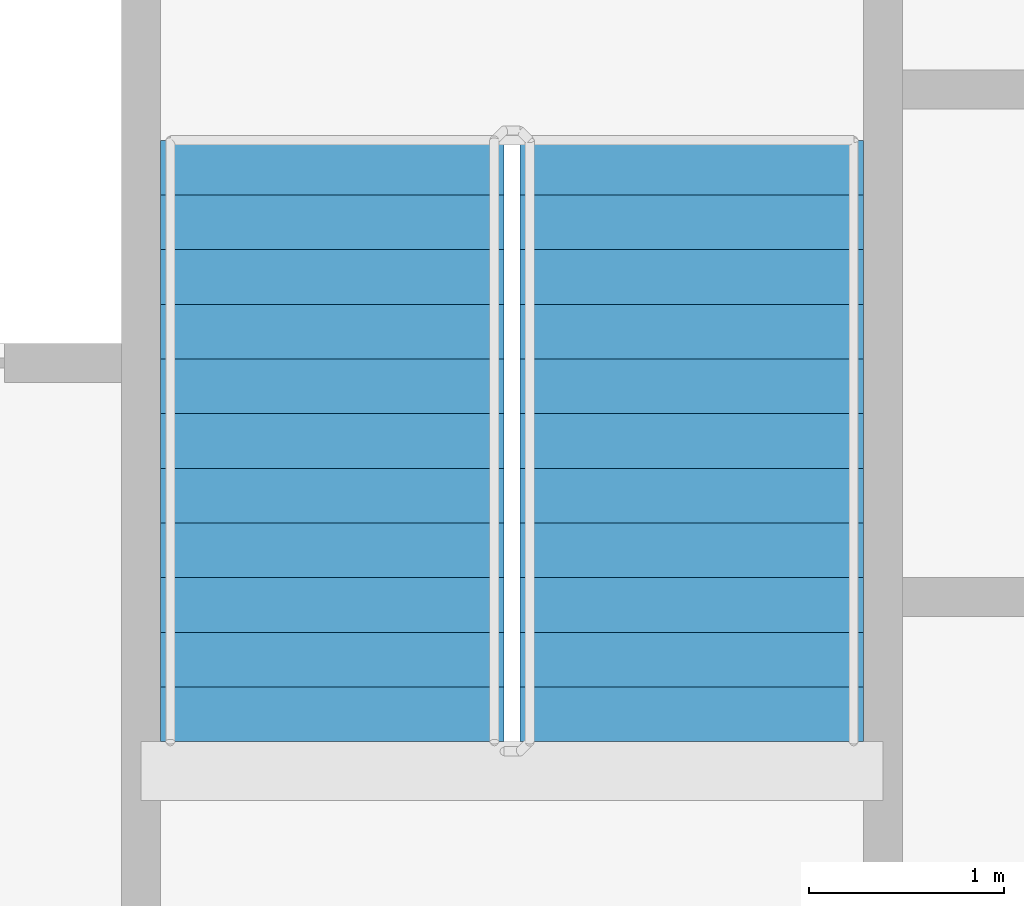
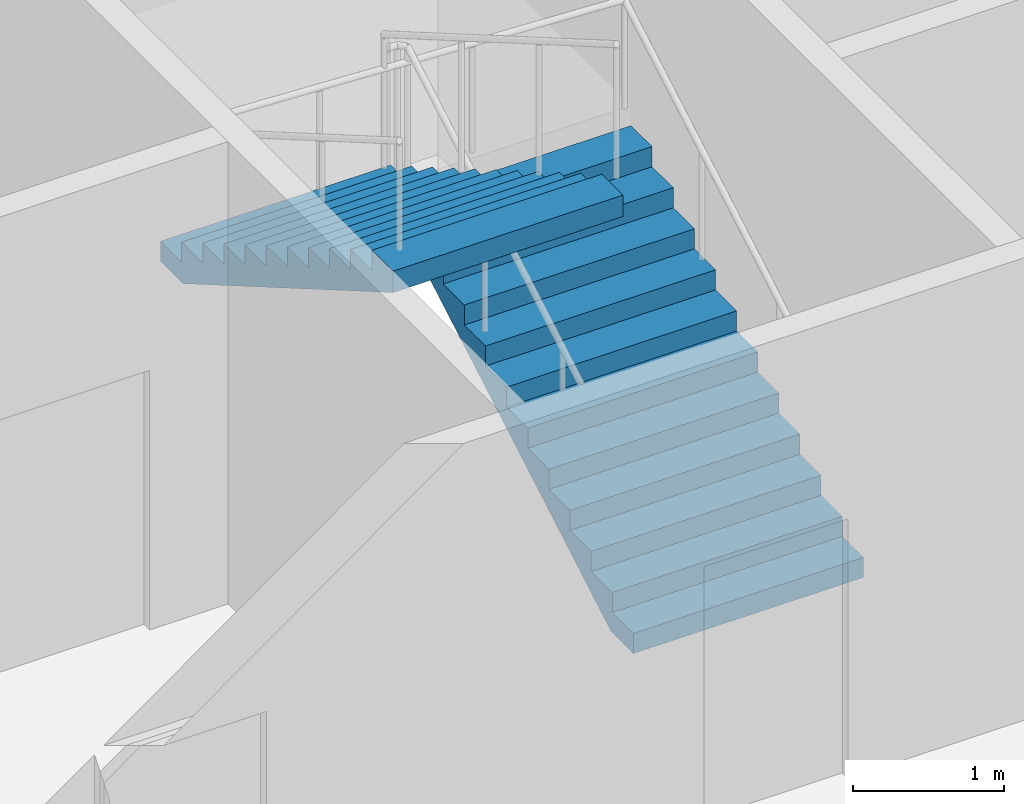
# One storey, part 17 of 22: 2 stair flights, 1 element without a shape of its own.
"""IFC4 building model written with IfcOpenShell, lengths in metres."""

import ifcopenshell
import ifcopenshell.guid

model = None  # the IFC model being written
_history = None  # IfcOwnerHistory: only IFC2X3 demands one
_inside = {}  # id of a spatial element -> (the spatial element, [elements in it])
_under = {}  # id of a project, library or spatial element -> (it, [spatial elements below it])
_declared = {}  # id of a project -> (the project, [libraries it declares])
_typed = {}  # id of a type object -> (the type object, [elements of that type])
_made_of = {}  # id of a material, layer set ... -> (it, [elements and type objects made of it])


def new_model(schema):
    """Start an empty IFC model of exactly this schema.

    Asked for "IFC4X3", IfcOpenShell would pick the latest addendum, in which some entities
    have other attributes; the version numbers below select the first issue.
    IFC2X3 requires an IfcOwnerHistory on every rooted entity: one is made here for all.
    """
    global model, _history
    if schema == "IFC4X3":
        model = ifcopenshell.file(schema_version=(4, 3, 0, 0))
    else:
        model = ifcopenshell.file(schema=schema)
    _inside.clear()
    _under.clear()
    _declared.clear()
    _typed.clear()
    _made_of.clear()
    _history = None
    if model.schema == "IFC2X3":
        org = make("IfcOrganization", Name="unknown")
        user = make(
            "IfcPersonAndOrganization",
            ThePerson=make("IfcPerson", FamilyName="unknown"),
            TheOrganization=org,
        )
        app = make(
            "IfcApplication",
            ApplicationDeveloper=org,
            Version="unknown",
            ApplicationFullName="unknown",
            ApplicationIdentifier="unknown",
        )
        _history = make(
            "IfcOwnerHistory",
            OwningUser=user,
            OwningApplication=app,
            ChangeAction="ADDED",
            CreationDate=0,
        )
    return model


def make(cls, **values):
    """One entity of the class cls with the attributes given. An attribute that is None is left unset."""
    return model.create_entity(
        cls, **{name: value for name, value in values.items() if value is not None}
    )


def rooted(cls, **values):
    """An entity with a GlobalId (a new one), such as an element, a storey or a relation."""
    return make(cls, GlobalId=ifcopenshell.guid.new(), OwnerHistory=_history, **values)


def si_unit(unit_type, name, prefix=None):
    """IfcSIUnit, for example si_unit("LENGTHUNIT", "METRE", prefix="MILLI")."""
    return make("IfcSIUnit", UnitType=unit_type, Prefix=prefix, Name=name)


def assignment(units):
    """IfcUnitAssignment: the units of a project."""
    return None if units is None else make("IfcUnitAssignment", Units=units)


def point(xyz):
    """IfcCartesianPoint."""
    return None if xyz is None else make("IfcCartesianPoint", Coordinates=xyz)


def direction(xyz):
    """IfcDirection."""
    return None if xyz is None else make("IfcDirection", DirectionRatios=xyz)


def frame(location, z_axis=None, x_axis=None):
    """IfcAxis2Placement3D, a coordinate frame: its origin and axes. An axis left out is left unset."""
    return make(
        "IfcAxis2Placement3D",
        Location=point(location),
        Axis=direction(z_axis),
        RefDirection=direction(x_axis),
    )


def origin():
    """The frame at (0, 0, 0) with its axes left unset."""
    return frame((0.0, 0.0, 0.0))


def place(relative_to, where):
    """IfcLocalPlacement: puts the frame where relative to a parent placement (None: the world)."""
    return make(
        "IfcLocalPlacement", PlacementRelTo=relative_to, RelativePlacement=where
    )


def context(
    kind, dimensions, precision=None, world=None, true_north=None, identifier=None
):
    """IfcGeometricRepresentationContext, for example the 3D "Model" context."""
    return make(
        "IfcGeometricRepresentationContext",
        ContextIdentifier=identifier,
        ContextType=kind,
        CoordinateSpaceDimension=dimensions,
        Precision=precision,
        WorldCoordinateSystem=world,
        TrueNorth=true_north,
    )


def subcontext(parent, identifier, kind, view, scale=None):
    """IfcGeometricRepresentationSubContext, for example "Body" below "Model"."""
    return make(
        "IfcGeometricRepresentationSubContext",
        ContextIdentifier=identifier,
        ContextType=kind,
        ParentContext=parent,
        TargetScale=scale,
        TargetView=view,
    )


def project(units=None, contexts=None):
    """IfcProject with its units and contexts."""
    return rooted(
        "IfcProject",
        Name="project",
        RepresentationContexts=contexts,
        UnitsInContext=assignment(units),
    )


def spatial(cls, under=None, at=None, **own):
    """A site, building, storey or space (cls), placed at a placement, below another one or the project."""
    s = rooted(cls, ObjectPlacement=at, **own)
    if under is not None:
        _under.setdefault(under.id(), (under, []))[1].append(s)
    return s


def faces_of(points, faces, orient=None, outer=None):
    """IfcFace entities. A face is a list of loops; a loop is a list of indices into points, from 0.

    orient and outer hold one flag for each loop. By default every Orientation is true, the
    first loop of a face is its IfcFaceOuterBound and the others are IfcFaceBound.
    """
    made = []
    for i, loops in enumerate(faces):
        bounds = []
        for j, loop in enumerate(loops):
            is_outer = j == 0 if outer is None else outer[i][j]
            bounds.append(
                make(
                    "IfcFaceOuterBound" if is_outer else "IfcFaceBound",
                    Bound=make("IfcPolyLoop", Polygon=[points[k] for k in loop]),
                    Orientation=True if orient is None else orient[i][j],
                )
            )
        made.append(make("IfcFace", Bounds=bounds))
    return made


def faceted_brep(points, faces, orient=None, outer=None, voids=None):
    """IfcFacetedBrep: a solid bounded by flat faces; with voids (closed shells), ...WithVoids."""
    shared = [point(p) for p in points]
    hull = make("IfcClosedShell", CfsFaces=faces_of(shared, faces, orient, outer))
    if voids is None:
        return make("IfcFacetedBrep", Outer=hull)
    return make(
        "IfcFacetedBrepWithVoids",
        Outer=hull,
        Voids=[
            make(cls, CfsFaces=faces_of(shared, fs, o, b)) for cls, fs, o, b in voids
        ],
    )


def shape(context_of_items, identifier, shape_type, items):
    """IfcShapeRepresentation: the items that make up one representation, for example the "Body"."""
    return make(
        "IfcShapeRepresentation",
        ContextOfItems=context_of_items,
        RepresentationIdentifier=identifier,
        RepresentationType=shape_type,
        Items=items,
    )


def material(Name=None, Category=None):
    """IfcMaterial."""
    return make("IfcMaterial", Name=Name, Category=Category)


def made_of(thing, what):
    """Note that an element or type object is made of a material, layer set ...; save() writes the relation."""
    if what is not None:
        _made_of.setdefault(what.id(), (what, []))[1].append(thing)
    return thing


def type_object(cls, material=None, **own):
    """A type object (cls), such as IfcWallType, which elements share."""
    return made_of(rooted(cls, **own), material)


def element(
    cls,
    number,
    at=None,
    inside=None,
    cuts=None,
    type_object=None,
    material=None,
    context=None,
    identifier="Body",
    shape_type=None,
    held_by="IfcProductDefinitionShape",
    body=None,
    shapes=None,
    **own,
):
    """One element of the class cls, such as IfcWall. Its Tag is "e" and its number.

    at: its placement. inside: the storey or other place that contains it. cuts: it is an
    opening in that element (IfcRelVoidsElement). A single representation is given by context,
    identifier, shape_type and body (its items); several are given by shapes. held_by: the class
    of the entity that holds the representations. save() writes the other relations.
    """
    e = rooted(cls, Tag="e%d" % number, ObjectPlacement=at, **own)
    if body is not None:
        shapes = [shape(context, identifier, shape_type, body)]
    if shapes is not None:
        e.Representation = make(held_by, Representations=shapes)
    if inside is not None:
        _inside.setdefault(inside.id(), (inside, []))[1].append(e)
    if cuts is not None:
        rooted(
            "IfcRelVoidsElement", RelatingBuildingElement=cuts, RelatedOpeningElement=e
        )
    if type_object is not None:
        _typed.setdefault(type_object.id(), (type_object, []))[1].append(e)
    return made_of(e, material)


def aggregate(whole, parts):
    """IfcRelAggregates: a whole, such as a stair, and the parts it consists of."""
    return rooted("IfcRelAggregates", RelatingObject=whole, RelatedObjects=parts)


def save(model, path):
    """Write the relations noted so far, then the file.

    IfcRelAggregates (storeys below a building ...), IfcRelContainedInSpatialStructure (elements
    in a storey), IfcRelDefinesByType, IfcRelAssociatesMaterial and IfcRelDeclares: one each for
    every whole, place, type object, material and project.
    """
    for whole, parts in _under.values():
        aggregate(whole, parts)
    for where, things in _inside.values():
        rooted(
            "IfcRelContainedInSpatialStructure",
            RelatedElements=things,
            RelatingStructure=where,
        )
    for kind, things in _typed.values():
        rooted("IfcRelDefinesByType", RelatedObjects=things, RelatingType=kind)
    for what, things in _made_of.values():
        rooted("IfcRelAssociatesMaterial", RelatedObjects=things, RelatingMaterial=what)
    for by, libraries in _declared.values():
        rooted("IfcRelDeclares", RelatingContext=by, RelatedDefinitions=libraries)
    model.write(path)


model = new_model("IFC4")

# Units and contexts
model_context = context("Model", 3, precision=1e-05, world=origin(), true_north=direction((0.0, 1.0)))
body_context = subcontext(model_context, "Body", "Model", "MODEL_VIEW")
ifc_project = project(units=[si_unit("LENGTHUNIT", "METRE"), si_unit("AREAUNIT", "SQUARE_METRE"), si_unit("VOLUMEUNIT", "CUBIC_METRE"), si_unit("PLANEANGLEUNIT", "RADIAN"), si_unit("MASSUNIT", "GRAM", prefix="KILO")], contexts=[model_context])

# Site, building, storey
site_placement = place(None, origin())
site = spatial("IfcSite", under=ifc_project, at=site_placement, CompositionType="ELEMENT")
building_placement = place(site_placement, origin())
building = spatial("IfcBuilding", under=site, at=building_placement, Name="Tarsis Ring Headquarters", CompositionType="ELEMENT")
storey_placement = place(building_placement, frame((0.0, 0.0, 55.60009765625)))
storey = spatial("IfcBuildingStorey", under=building, at=storey_placement, Name="L11", CompositionType="ELEMENT", Elevation=55.60009765625)

# Stair, stair flights
ifc_material_1 = material(Name="Core stair 1760")
stair_type = type_object("IfcStairType", Name="Core stair 1760", PredefinedType="HALF_TURN_STAIR", material=ifc_material_1)
stair_placement = place(storey_placement, origin())
stair = element("IfcStair", 1, at=stair_placement, inside=storey, type_object=stair_type, Name="L11 Exit stair B", PredefinedType="HALF_TURN_STAIR")
ifc_material_2 = material(Name="Concrete C40/50", Category="concrete")
stair_flight_type = type_object("IfcStairFlightType", Name="Core stair flight 1760", PredefinedType="STRAIGHT", material=ifc_material_2)
stair_flight_1_placement = place(storey_placement, frame((5.419921875, 3.659912109375, 0.0), z_axis=(0.0, 0.0, 1.0), x_axis=(0.0, 1.0, 0.0)))
stair_flight_1 = element("IfcStairFlight", 2, at=stair_flight_1_placement, type_object=stair_flight_type, Name="Stair ST2 flight 1", NumberOfRisers=12, NumberOfTreads=11, PredefinedType="STRAIGHT", RiserHeight=0.1625, TreadLength=0.28, context=body_context, shape_type="Brep", body=[
    faceted_brep([(0.0, 0.8798828125, 0.0), (0.0, 0.8798828125, 0.16259765625), (0.280029296875, 0.8798828125, 0.16259765625), (0.280029296875, 0.8798828125, 0.324951171875), (0.56005859375, 0.8798828125, 0.324951171875), (0.56005859375, 0.8798828125, 0.487548828125), (0.840087890625, 0.8798828125, 0.487548828125), (0.840087890625, 0.8798828125, 0.64990234375), (1.1201171875, 0.8798828125, 0.64990234375), (1.1201171875, 0.8798828125, 0.8125), (1.39990234375, 0.8798828125, 0.8125), (1.39990234375, 0.8798828125, 0.97509765625), (1.679931640625, 0.8798828125, 0.97509765625), (1.679931640625, 0.8798828125, 1.137451171875), (1.9599609375, 0.8798828125, 1.137451171875), (1.9599609375, 0.8798828125, 1.300048828125), (2.239990234375, 0.8798828125, 1.300048828125), (2.239990234375, 0.8798828125, 1.46240234375), (2.52001953125, 0.8798828125, 1.46240234375), (2.52001953125, 0.8798828125, 1.625), (2.800048828125, 0.8798828125, 1.625), (2.800048828125, 0.8798828125, 1.78759765625), (3.080078125, 0.8798828125, 1.78759765625), (3.080078125, 0.8798828125, 1.6142578125), (0.298583984375, 0.8798828125, 0.0), (0.298583984375, -0.8798828125, 0.0), (3.080078125, -0.8798828125, 1.6142578125), (3.080078125, -0.8798828125, 1.78759765625), (2.800048828125, -0.8798828125, 1.78759765625), (2.800048828125, -0.8798828125, 1.625), (2.52001953125, -0.8798828125, 1.625), (2.52001953125, -0.8798828125, 1.46240234375), (2.239990234375, -0.8798828125, 1.46240234375), (2.239990234375, -0.8798828125, 1.300048828125), (1.9599609375, -0.8798828125, 1.300048828125), (1.9599609375, -0.8798828125, 1.137451171875), (1.679931640625, -0.8798828125, 1.137451171875), (1.679931640625, -0.8798828125, 0.97509765625), (1.39990234375, -0.8798828125, 0.97509765625), (1.39990234375, -0.8798828125, 0.8125), (1.1201171875, -0.8798828125, 0.8125), (1.1201171875, -0.8798828125, 0.64990234375), (0.840087890625, -0.8798828125, 0.64990234375), (0.840087890625, -0.8798828125, 0.487548828125), (0.56005859375, -0.8798828125, 0.487548828125), (0.56005859375, -0.8798828125, 0.324951171875), (0.280029296875, -0.8798828125, 0.324951171875), (0.280029296875, -0.8798828125, 0.16259765625), (0.0, -0.8798828125, 0.16259765625), (0.0, -0.8798828125, 0.0), (0.0, -0.43994140625, 0.16259765625), (0.0, -0.43994140625, 0.0), (0.0, 0.0, 0.16259765625), (0.0, 0.0, 0.0), (0.0, 0.43994140625, 0.16259765625), (0.0, 0.43994140625, 0.0), (0.280029296875, -0.43994140625, 0.16259765625), (0.280029296875, 0.0, 0.16259765625), (0.280029296875, 0.43994140625, 0.16259765625), (0.280029296875, -0.43994140625, 0.324951171875), (0.280029296875, 0.0, 0.324951171875), (0.280029296875, 0.43994140625, 0.324951171875), (0.56005859375, -0.43994140625, 0.324951171875), (0.56005859375, 0.0, 0.324951171875), (0.56005859375, 0.43994140625, 0.324951171875), (0.56005859375, -0.43994140625, 0.487548828125), (0.56005859375, 0.0, 0.487548828125), (0.56005859375, 0.43994140625, 0.487548828125), (0.840087890625, -0.43994140625, 0.487548828125), (0.840087890625, 0.0, 0.487548828125), (0.840087890625, 0.43994140625, 0.487548828125), (0.840087890625, -0.43994140625, 0.64990234375), (0.840087890625, 0.0, 0.64990234375), (0.840087890625, 0.43994140625, 0.64990234375), (1.1201171875, -0.43994140625, 0.64990234375), (1.1201171875, 0.0, 0.64990234375), (1.1201171875, 0.43994140625, 0.64990234375), (1.1201171875, -0.43994140625, 0.8125), (1.1201171875, 0.0, 0.8125), (1.1201171875, 0.43994140625, 0.8125), (1.39990234375, -0.43994140625, 0.8125), (1.39990234375, 0.0, 0.8125), (1.39990234375, 0.43994140625, 0.8125), (1.39990234375, -0.43994140625, 0.97509765625), (1.39990234375, 0.0, 0.97509765625), (1.39990234375, 0.43994140625, 0.97509765625), (1.679931640625, -0.43994140625, 0.97509765625), (1.679931640625, 0.0, 0.97509765625), (1.679931640625, 0.43994140625, 0.97509765625), (1.679931640625, -0.43994140625, 1.137451171875), (1.679931640625, 0.0, 1.137451171875), (1.679931640625, 0.43994140625, 1.137451171875), (1.9599609375, -0.43994140625, 1.137451171875), (1.9599609375, 0.0, 1.137451171875), (1.9599609375, 0.43994140625, 1.137451171875), (1.9599609375, -0.43994140625, 1.300048828125), (1.9599609375, 0.0, 1.300048828125), (1.9599609375, 0.43994140625, 1.300048828125), (2.239990234375, -0.43994140625, 1.300048828125), (2.239990234375, 0.0, 1.300048828125), (2.239990234375, 0.43994140625, 1.300048828125), (2.239990234375, -0.43994140625, 1.46240234375), (2.239990234375, 0.0, 1.46240234375), (2.239990234375, 0.43994140625, 1.46240234375), (2.52001953125, -0.43994140625, 1.46240234375), (2.52001953125, 0.0, 1.46240234375), (2.52001953125, 0.43994140625, 1.46240234375), (2.52001953125, -0.43994140625, 1.625), (2.52001953125, 0.0, 1.625), (2.52001953125, 0.43994140625, 1.625), (2.800048828125, -0.43994140625, 1.625), (2.800048828125, 0.0, 1.625), (2.800048828125, 0.43994140625, 1.625), (2.800048828125, -0.43994140625, 1.78759765625), (2.800048828125, 0.0, 1.78759765625), (2.800048828125, 0.43994140625, 1.78759765625), (3.080078125, -0.43994140625, 1.78759765625), (3.080078125, 0.0, 1.78759765625), (3.080078125, 0.43994140625, 1.78759765625), (3.080078125, -0.43994140625, 1.6142578125), (3.080078125, 0.0, 1.6142578125), (3.080078125, 0.43994140625, 1.6142578125), (0.298583984375, -0.43994140625, 0.0), (0.298583984375, 0.0, 0.0), (0.298583984375, 0.43994140625, 0.0)], [[[0, 1, 2, 3, 4, 5, 6, 7, 8, 9, 10, 11, 12, 13, 14, 15, 16, 17, 18, 19, 20, 21, 22, 23, 24]], [[25, 26, 27, 28, 29, 30, 31, 32, 33, 34, 35, 36, 37, 38, 39, 40, 41, 42, 43, 44, 45, 46, 47, 48, 49]], [[49, 48, 50, 51]], [[51, 50, 52, 53]], [[53, 52, 54, 55]], [[55, 54, 1, 0]], [[48, 47, 56, 50]], [[50, 56, 57, 52]], [[52, 57, 58, 54]], [[54, 58, 2, 1]], [[47, 46, 59, 56]], [[56, 59, 60, 57]], [[57, 60, 61, 58]], [[58, 61, 3, 2]], [[46, 45, 62, 59]], [[59, 62, 63, 60]], [[60, 63, 64, 61]], [[61, 64, 4, 3]], [[45, 44, 65, 62]], [[62, 65, 66, 63]], [[63, 66, 67, 64]], [[64, 67, 5, 4]], [[44, 43, 68, 65]], [[65, 68, 69, 66]], [[66, 69, 70, 67]], [[67, 70, 6, 5]], [[43, 42, 71, 68]], [[68, 71, 72, 69]], [[69, 72, 73, 70]], [[70, 73, 7, 6]], [[42, 41, 74, 71]], [[71, 74, 75, 72]], [[72, 75, 76, 73]], [[73, 76, 8, 7]], [[41, 40, 77, 74]], [[74, 77, 78, 75]], [[75, 78, 79, 76]], [[76, 79, 9, 8]], [[40, 39, 80, 77]], [[77, 80, 81, 78]], [[78, 81, 82, 79]], [[79, 82, 10, 9]], [[39, 38, 83, 80]], [[80, 83, 84, 81]], [[81, 84, 85, 82]], [[82, 85, 11, 10]], [[38, 37, 86, 83]], [[83, 86, 87, 84]], [[84, 87, 88, 85]], [[85, 88, 12, 11]], [[37, 36, 89, 86]], [[86, 89, 90, 87]], [[87, 90, 91, 88]], [[88, 91, 13, 12]], [[36, 35, 92, 89]], [[89, 92, 93, 90]], [[90, 93, 94, 91]], [[91, 94, 14, 13]], [[35, 34, 95, 92]], [[92, 95, 96, 93]], [[93, 96, 97, 94]], [[94, 97, 15, 14]], [[34, 33, 98, 95]], [[95, 98, 99, 96]], [[96, 99, 100, 97]], [[97, 100, 16, 15]], [[33, 32, 101, 98]], [[98, 101, 102, 99]], [[99, 102, 103, 100]], [[100, 103, 17, 16]], [[32, 31, 104, 101]], [[101, 104, 105, 102]], [[102, 105, 106, 103]], [[103, 106, 18, 17]], [[31, 30, 107, 104]], [[104, 107, 108, 105]], [[105, 108, 109, 106]], [[106, 109, 19, 18]], [[30, 29, 110, 107]], [[107, 110, 111, 108]], [[108, 111, 112, 109]], [[109, 112, 20, 19]], [[29, 28, 113, 110]], [[110, 113, 114, 111]], [[111, 114, 115, 112]], [[112, 115, 21, 20]], [[28, 27, 116, 113]], [[113, 116, 117, 114]], [[114, 117, 118, 115]], [[115, 118, 22, 21]], [[27, 26, 119, 116]], [[116, 119, 120, 117]], [[117, 120, 121, 118]], [[118, 121, 23, 22]], [[26, 25, 122, 119]], [[119, 122, 123, 120]], [[120, 123, 124, 121]], [[121, 124, 24, 23]], [[25, 49, 51, 122]], [[122, 51, 53, 123]], [[123, 53, 55, 124]], [[124, 55, 0, 24]]]),
])
stair_flight_2_placement = place(storey_placement, frame((3.580078125, 6.739990234375, 1.949951171875), z_axis=(0.0, 0.0, 1.0), x_axis=(0.0, -1.0, 0.0)))
stair_flight_2 = element("IfcStairFlight", 3, at=stair_flight_2_placement, type_object=stair_flight_type, Name="Stair ST2 flight 2", NumberOfRisers=12, NumberOfTreads=11, PredefinedType="STRAIGHT", RiserHeight=0.1625, TreadLength=0.28, context=body_context, shape_type="Brep", body=[
    faceted_brep([(0.0, 0.8798828125, 0.0), (0.0, 0.8798828125, 0.16259765625), (0.280029296875, 0.8798828125, 0.16259765625), (0.280029296875, 0.8798828125, 0.324951171875), (0.56005859375, 0.8798828125, 0.324951171875), (0.56005859375, 0.8798828125, 0.487548828125), (0.840087890625, 0.8798828125, 0.487548828125), (0.840087890625, 0.8798828125, 0.64990234375), (1.1201171875, 0.8798828125, 0.64990234375), (1.1201171875, 0.8798828125, 0.8125), (1.39990234375, 0.8798828125, 0.8125), (1.39990234375, 0.8798828125, 0.97509765625), (1.679931640625, 0.8798828125, 0.97509765625), (1.679931640625, 0.8798828125, 1.137451171875), (1.9599609375, 0.8798828125, 1.137451171875), (1.9599609375, 0.8798828125, 1.300048828125), (2.239990234375, 0.8798828125, 1.300048828125), (2.239990234375, 0.8798828125, 1.46240234375), (2.52001953125, 0.8798828125, 1.46240234375), (2.52001953125, 0.8798828125, 1.625), (2.800048828125, 0.8798828125, 1.625), (2.800048828125, 0.8798828125, 1.78759765625), (3.080078125, 0.8798828125, 1.78759765625), (3.080078125, 0.8798828125, 1.6142578125), (0.298583984375, 0.8798828125, 0.0), (0.298583984375, -0.8798828125, 0.0), (3.080078125, -0.8798828125, 1.6142578125), (3.080078125, -0.8798828125, 1.78759765625), (2.800048828125, -0.8798828125, 1.78759765625), (2.800048828125, -0.8798828125, 1.625), (2.52001953125, -0.8798828125, 1.625), (2.52001953125, -0.8798828125, 1.46240234375), (2.239990234375, -0.8798828125, 1.46240234375), (2.239990234375, -0.8798828125, 1.300048828125), (1.9599609375, -0.8798828125, 1.300048828125), (1.9599609375, -0.8798828125, 1.137451171875), (1.679931640625, -0.8798828125, 1.137451171875), (1.679931640625, -0.8798828125, 0.97509765625), (1.39990234375, -0.8798828125, 0.97509765625), (1.39990234375, -0.8798828125, 0.8125), (1.1201171875, -0.8798828125, 0.8125), (1.1201171875, -0.8798828125, 0.64990234375), (0.840087890625, -0.8798828125, 0.64990234375), (0.840087890625, -0.8798828125, 0.487548828125), (0.56005859375, -0.8798828125, 0.487548828125), (0.56005859375, -0.8798828125, 0.324951171875), (0.280029296875, -0.8798828125, 0.324951171875), (0.280029296875, -0.8798828125, 0.16259765625), (0.0, -0.8798828125, 0.16259765625), (0.0, -0.8798828125, 0.0), (0.0, -0.43994140625, 0.16259765625), (0.0, -0.43994140625, 0.0), (0.0, 0.0, 0.16259765625), (0.0, 0.0, 0.0), (0.0, 0.43994140625, 0.16259765625), (0.0, 0.43994140625, 0.0), (0.280029296875, -0.43994140625, 0.16259765625), (0.280029296875, 0.0, 0.16259765625), (0.280029296875, 0.43994140625, 0.16259765625), (0.280029296875, -0.43994140625, 0.324951171875), (0.280029296875, 0.0, 0.324951171875), (0.280029296875, 0.43994140625, 0.324951171875), (0.56005859375, -0.43994140625, 0.324951171875), (0.56005859375, 0.0, 0.324951171875), (0.56005859375, 0.43994140625, 0.324951171875), (0.56005859375, -0.43994140625, 0.487548828125), (0.56005859375, 0.0, 0.487548828125), (0.56005859375, 0.43994140625, 0.487548828125), (0.840087890625, -0.43994140625, 0.487548828125), (0.840087890625, 0.0, 0.487548828125), (0.840087890625, 0.43994140625, 0.487548828125), (0.840087890625, -0.43994140625, 0.64990234375), (0.840087890625, 0.0, 0.64990234375), (0.840087890625, 0.43994140625, 0.64990234375), (1.1201171875, -0.43994140625, 0.64990234375), (1.1201171875, 0.0, 0.64990234375), (1.1201171875, 0.43994140625, 0.64990234375), (1.1201171875, -0.43994140625, 0.8125), (1.1201171875, 0.0, 0.8125), (1.1201171875, 0.43994140625, 0.8125), (1.39990234375, -0.43994140625, 0.8125), (1.39990234375, 0.0, 0.8125), (1.39990234375, 0.43994140625, 0.8125), (1.39990234375, -0.43994140625, 0.97509765625), (1.39990234375, 0.0, 0.97509765625), (1.39990234375, 0.43994140625, 0.97509765625), (1.679931640625, -0.43994140625, 0.97509765625), (1.679931640625, 0.0, 0.97509765625), (1.679931640625, 0.43994140625, 0.97509765625), (1.679931640625, -0.43994140625, 1.137451171875), (1.679931640625, 0.0, 1.137451171875), (1.679931640625, 0.43994140625, 1.137451171875), (1.9599609375, -0.43994140625, 1.137451171875), (1.9599609375, 0.0, 1.137451171875), (1.9599609375, 0.43994140625, 1.137451171875), (1.9599609375, -0.43994140625, 1.300048828125), (1.9599609375, 0.0, 1.300048828125), (1.9599609375, 0.43994140625, 1.300048828125), (2.239990234375, -0.43994140625, 1.300048828125), (2.239990234375, 0.0, 1.300048828125), (2.239990234375, 0.43994140625, 1.300048828125), (2.239990234375, -0.43994140625, 1.46240234375), (2.239990234375, 0.0, 1.46240234375), (2.239990234375, 0.43994140625, 1.46240234375), (2.52001953125, -0.43994140625, 1.46240234375), (2.52001953125, 0.0, 1.46240234375), (2.52001953125, 0.43994140625, 1.46240234375), (2.52001953125, -0.43994140625, 1.625), (2.52001953125, 0.0, 1.625), (2.52001953125, 0.43994140625, 1.625), (2.800048828125, -0.43994140625, 1.625), (2.800048828125, 0.0, 1.625), (2.800048828125, 0.43994140625, 1.625), (2.800048828125, -0.43994140625, 1.78759765625), (2.800048828125, 0.0, 1.78759765625), (2.800048828125, 0.43994140625, 1.78759765625), (3.080078125, -0.43994140625, 1.78759765625), (3.080078125, 0.0, 1.78759765625), (3.080078125, 0.43994140625, 1.78759765625), (3.080078125, -0.43994140625, 1.6142578125), (3.080078125, 0.0, 1.6142578125), (3.080078125, 0.43994140625, 1.6142578125), (0.298583984375, -0.43994140625, 0.0), (0.298583984375, 0.0, 0.0), (0.298583984375, 0.43994140625, 0.0)], [[[0, 1, 2, 3, 4, 5, 6, 7, 8, 9, 10, 11, 12, 13, 14, 15, 16, 17, 18, 19, 20, 21, 22, 23, 24]], [[25, 26, 27, 28, 29, 30, 31, 32, 33, 34, 35, 36, 37, 38, 39, 40, 41, 42, 43, 44, 45, 46, 47, 48, 49]], [[49, 48, 50, 51]], [[51, 50, 52, 53]], [[53, 52, 54, 55]], [[55, 54, 1, 0]], [[48, 47, 56, 50]], [[50, 56, 57, 52]], [[52, 57, 58, 54]], [[54, 58, 2, 1]], [[47, 46, 59, 56]], [[56, 59, 60, 57]], [[57, 60, 61, 58]], [[58, 61, 3, 2]], [[46, 45, 62, 59]], [[59, 62, 63, 60]], [[60, 63, 64, 61]], [[61, 64, 4, 3]], [[45, 44, 65, 62]], [[62, 65, 66, 63]], [[63, 66, 67, 64]], [[64, 67, 5, 4]], [[44, 43, 68, 65]], [[65, 68, 69, 66]], [[66, 69, 70, 67]], [[67, 70, 6, 5]], [[43, 42, 71, 68]], [[68, 71, 72, 69]], [[69, 72, 73, 70]], [[70, 73, 7, 6]], [[42, 41, 74, 71]], [[71, 74, 75, 72]], [[72, 75, 76, 73]], [[73, 76, 8, 7]], [[41, 40, 77, 74]], [[74, 77, 78, 75]], [[75, 78, 79, 76]], [[76, 79, 9, 8]], [[40, 39, 80, 77]], [[77, 80, 81, 78]], [[78, 81, 82, 79]], [[79, 82, 10, 9]], [[39, 38, 83, 80]], [[80, 83, 84, 81]], [[81, 84, 85, 82]], [[82, 85, 11, 10]], [[38, 37, 86, 83]], [[83, 86, 87, 84]], [[84, 87, 88, 85]], [[85, 88, 12, 11]], [[37, 36, 89, 86]], [[86, 89, 90, 87]], [[87, 90, 91, 88]], [[88, 91, 13, 12]], [[36, 35, 92, 89]], [[89, 92, 93, 90]], [[90, 93, 94, 91]], [[91, 94, 14, 13]], [[35, 34, 95, 92]], [[92, 95, 96, 93]], [[93, 96, 97, 94]], [[94, 97, 15, 14]], [[34, 33, 98, 95]], [[95, 98, 99, 96]], [[96, 99, 100, 97]], [[97, 100, 16, 15]], [[33, 32, 101, 98]], [[98, 101, 102, 99]], [[99, 102, 103, 100]], [[100, 103, 17, 16]], [[32, 31, 104, 101]], [[101, 104, 105, 102]], [[102, 105, 106, 103]], [[103, 106, 18, 17]], [[31, 30, 107, 104]], [[104, 107, 108, 105]], [[105, 108, 109, 106]], [[106, 109, 19, 18]], [[30, 29, 110, 107]], [[107, 110, 111, 108]], [[108, 111, 112, 109]], [[109, 112, 20, 19]], [[29, 28, 113, 110]], [[110, 113, 114, 111]], [[111, 114, 115, 112]], [[112, 115, 21, 20]], [[28, 27, 116, 113]], [[113, 116, 117, 114]], [[114, 117, 118, 115]], [[115, 118, 22, 21]], [[27, 26, 119, 116]], [[116, 119, 120, 117]], [[117, 120, 121, 118]], [[118, 121, 23, 22]], [[26, 25, 122, 119]], [[119, 122, 123, 120]], [[120, 123, 124, 121]], [[121, 124, 24, 23]], [[25, 49, 51, 122]], [[122, 51, 53, 123]], [[123, 53, 55, 124]], [[124, 55, 0, 24]]]),
])
aggregate(stair, [stair_flight_1, stair_flight_2])

save(model, "model.ifc")
